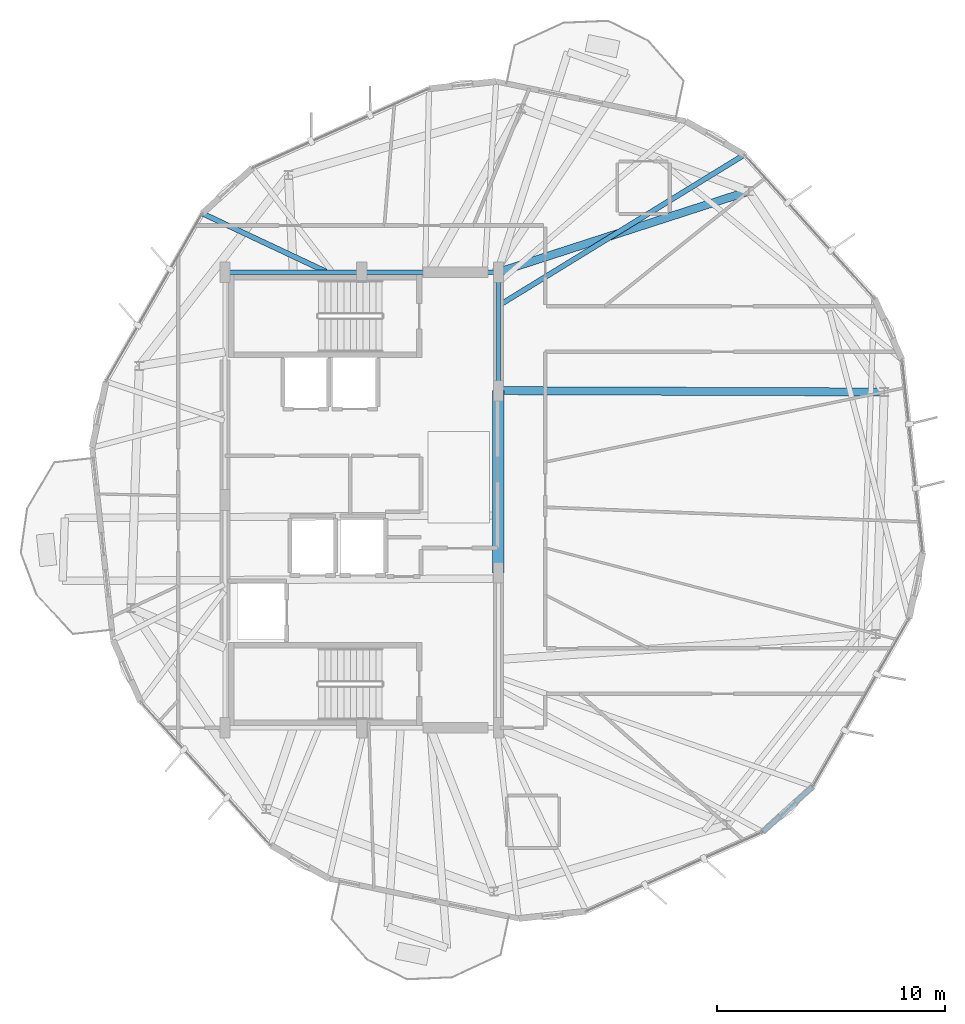
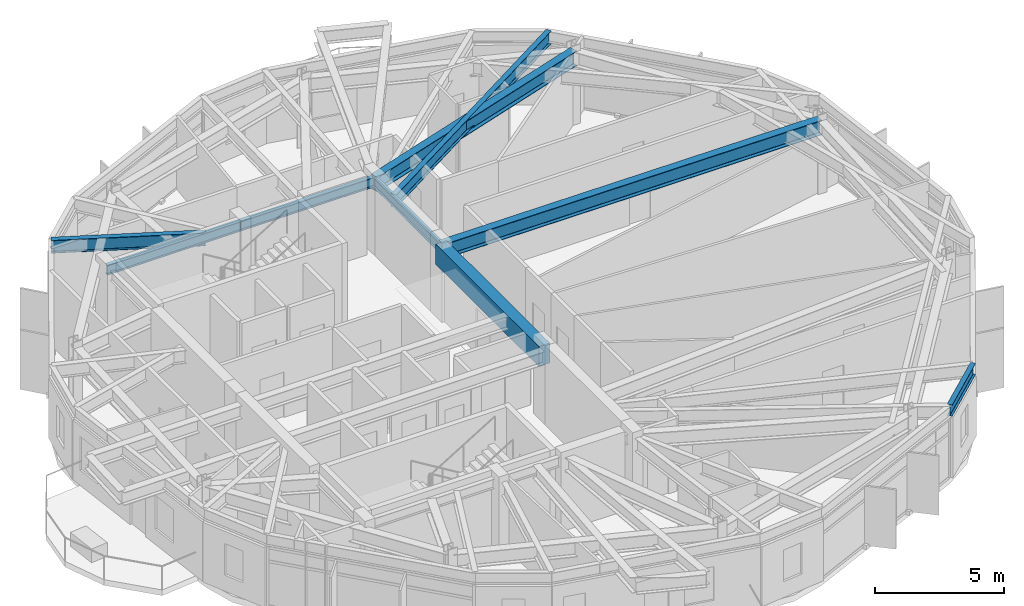
# One storey, part 9 of 23: 9 beams.
"""IFC4 building model written with IfcOpenShell, lengths in metres."""

from ifc_helpers import new_model, si_unit, direction, frame, origin, origin_2d, place, context, subcontext, project, spatial, rectangle, i_section, extrude, material, material_profile, profile_set, type_object, element, save


model = new_model("IFC4")

# Units and contexts
model_context = context("Model", 3, precision=1e-05, world=origin(), true_north=direction((0.0, 1.0)))
body_context = subcontext(model_context, "Body", "Model", "MODEL_VIEW")
ifc_project = project(units=[si_unit("LENGTHUNIT", "METRE"), si_unit("AREAUNIT", "SQUARE_METRE"), si_unit("VOLUMEUNIT", "CUBIC_METRE"), si_unit("PLANEANGLEUNIT", "RADIAN"), si_unit("MASSUNIT", "GRAM", prefix="KILO")], contexts=[model_context])

# Site, building, storey
site_placement = place(None, origin())
site = spatial("IfcSite", under=ifc_project, at=site_placement, CompositionType="ELEMENT")
building_placement = place(site_placement, origin())
building = spatial("IfcBuilding", under=site, at=building_placement, Name="Soratama Intermodal Tower", CompositionType="ELEMENT")
storey_placement = place(building_placement, frame((0.0, 0.0, 253.75)))
storey = spatial("IfcBuildingStorey", under=building, at=storey_placement, Name="L64", CompositionType="ELEMENT", Elevation=253.75)

# Beams
ifc_material_1 = material(Name="Concrete f'c 56 MPa", Category="concrete")
ifc_material_profile_1 = material_profile(ifc_material_1, rectangle(XDim=0.5, YDim=0.949951171875, at=origin_2d()), Name="RC500X950")
ifc_profile_set_1 = profile_set([ifc_material_profile_1], Name="Concrete f'c 56 MPa")
beam_type_1 = type_object("IfcBeamType", Name="BM-CPL-RC500X950", PredefinedType="BEAM", material=ifc_profile_set_1)
beam_1_placement = place(storey_placement, frame((44.60009765625, 21.800048828125, 2.97509765625), z_axis=(0.0, 1.0, 0.0), x_axis=(-1.0, 0.0, 0.0)))
element("IfcBeam", 1, at=beam_1_placement, inside=storey, type_object=beam_type_1, Name="L64 Core Coupling Beam East", PredefinedType="BEAM", context=body_context, shape_type="SweptSolid", body=[
    extrude(rectangle(XDim=0.5, YDim=0.949951171875, at=origin_2d()), origin(), (0.0, 0.0, 1.0), 8.0),
])
ifc_material_2 = material(Name="Structural steel ASTM A992 Grade 50", Category="steel")
ifc_material_profile_2 = material_profile(ifc_material_2, i_section(OverallWidth=0.19091796875, OverallDepth=0.4599609375, WebThickness=0.010009765625, FlangeThickness=0.01611328125, FilletRadius=0.010986328125, at=origin_2d()), Name="W18X55")
ifc_profile_set_2 = profile_set([ifc_material_profile_2], Name="Structural steel ASTM A992 Grade 50")
beam_type_2 = type_object("IfcBeamType", Name="BM-FLR-W18X55", PredefinedType="BEAM", material=ifc_profile_set_2)
beam_2_placement = place(storey_placement, frame((44.60009765625, 29.800048828125, 3.219970703125), z_axis=(0.0, 1.0, 0.0), x_axis=(-1.0, 0.0, 0.0)))
element("IfcBeam", 2, at=beam_2_placement, inside=storey, type_object=beam_type_2, Name="BM-L64-CRING-05", PredefinedType="BEAM", context=body_context, shape_type="SweptSolid", body=[
    extrude(i_section(OverallWidth=0.19091796875, OverallDepth=0.4599609375, WebThickness=0.010009765625, FlangeThickness=0.01611328125, FilletRadius=0.010986328125, at=origin_2d()), origin(), (0.0, 0.0, 1.0), 5.199951171875),
])
for number, where, z_axis, x_axis, name in (
    (3, (44.60009765625, 35.0, 3.219970703125), (-1.0, 0.0, 0.0), (0.0, -1.0, 0.0), "BM-L64-CRING-06"),
    (4, (38.60009765625, 35.0, 3.219970703125), (-1.0, 0.0, 0.0), (0.0, -1.0, 0.0), "BM-L64-CRING-07"),
):
    element("IfcBeam", number, at=place(storey_placement, frame(where, z_axis=z_axis, x_axis=x_axis)), inside=storey, type_object=beam_type_2, Name=name, PredefinedType="BEAM", context=body_context, shape_type="SweptSolid", body=[
        extrude(i_section(OverallWidth=0.19091796875, OverallDepth=0.4599609375, WebThickness=0.010009765625, FlangeThickness=0.01611328125, FilletRadius=0.010986328125, at=origin_2d()), origin(), (0.0, 0.0, 1.0), 6.0),
    ])
ifc_material_3 = material(Name="Structural steel ASTM A992 Grade 50", Category="steel")
ifc_material_profile_3 = material_profile(ifc_material_3, i_section(OverallWidth=0.35498046875, OverallDepth=0.695068359375, WebThickness=0.015380859375, FlangeThickness=0.02490234375, FilletRadius=0.01611328125, at=origin_2d()), Name="W27X146")
ifc_profile_set_3 = profile_set([ifc_material_profile_3], Name="Structural steel ASTM A992 Grade 50")
beam_type_3 = type_object("IfcBeamType", Name="BM-RING-W27X146", PredefinedType="BEAM", material=ifc_profile_set_3)
beam_3_placement = place(storey_placement, frame((44.60009765625, 29.800048828125, 3.1025390625), z_axis=(0.999993913522, -0.003488971138, 0.0), x_axis=(0.003488971138, 0.999993913522, 0.0)))
element("IfcBeam", 5, at=beam_3_placement, inside=storey, type_object=beam_type_3, Name="BM-L64-RAD-01", PredefinedType="BEAM", context=body_context, shape_type="SweptSolid", body=[
    extrude(i_section(OverallWidth=0.35498046875, OverallDepth=0.695068359375, WebThickness=0.015380859375, FlangeThickness=0.02490234375, FilletRadius=0.01611328125, at=origin_2d()), origin(), (0.0, 0.0, 1.0), 16.933837890625),
])
beam_4_placement = place(storey_placement, frame((44.60009765625, 35.0, 3.1025390625), z_axis=(0.95147783512, 0.307717287904, 0.0), x_axis=(-0.307717287904, 0.95147783512, 0.0)))
element("IfcBeam", 6, at=beam_4_placement, inside=storey, type_object=beam_type_3, Name="BM-L64-RAD-02", PredefinedType="BEAM", context=body_context, shape_type="SweptSolid", body=[
    extrude(i_section(OverallWidth=0.35498046875, OverallDepth=0.695068359375, WebThickness=0.015380859375, FlangeThickness=0.02490234375, FilletRadius=0.01611328125, at=origin_2d()), origin(), (0.0, 0.0, 1.0), 11.54931640625),
])
ifc_material_4 = material(Name="Structural steel ASTM A992 Grade 50", Category="steel")
ifc_material_profile_4 = material_profile(ifc_material_4, i_section(OverallWidth=0.2099609375, OverallDepth=0.537109375, WebThickness=0.010986328125, FlangeThickness=0.017333984375, FilletRadius=0.012939453125, at=origin_2d()), Name="W21X68")
ifc_profile_set_4 = profile_set([ifc_material_profile_4], Name="Structural steel ASTM A992 Grade 50")
beam_type_4 = type_object("IfcBeamType", Name="BM-SPN-W21X68", PredefinedType="SPANDREL", material=ifc_profile_set_4)
beam_5_placement = place(storey_placement, frame((56.200927734375, 10.429931640625, 3.181396484375), z_axis=(0.740944718942, 0.671566023167, 0.0), x_axis=(-0.671566023167, 0.740944718942, 0.0)))
element("IfcBeam", 7, at=beam_5_placement, inside=storey, type_object=beam_type_4, Name="BS-L64-CRN07", PredefinedType="SPANDREL", context=body_context, shape_type="SweptSolid", body=[
    extrude(i_section(OverallWidth=0.2099609375, OverallDepth=0.537109375, WebThickness=0.010986328125, FlangeThickness=0.017333984375, FilletRadius=0.012939453125, at=origin_2d()), origin(), (0.0, 0.0, 1.0), 2.966552734375),
])
ifc_material_5 = material(Name="Structural steel ASTM A992 Grade 50", Category="steel")
ifc_material_profile_5 = material_profile(ifc_material_5, i_section(OverallWidth=0.22900390625, OverallDepth=0.612060546875, WebThickness=0.011962890625, FlangeThickness=0.01953125, FilletRadius=0.012939453125, at=origin_2d()), Name="W24X84")
ifc_profile_set_5 = profile_set([ifc_material_profile_5], Name="Structural steel ASTM A992 Grade 50")
beam_type_5 = type_object("IfcBeamType", Name="BM-TIE-W24X84", PredefinedType="BEAM", material=ifc_profile_set_5)
beam_6_placement = place(storey_placement, frame((37.047119140625, 35.01708984375, 3.14404296875), z_axis=(-0.904950131532, 0.425517637049, 0.0), x_axis=(-0.425517637049, -0.904950131532, 0.0)))
element("IfcBeam", 8, at=beam_6_placement, inside=storey, type_object=beam_type_5, Name="BM-L64-TIE0-03", PredefinedType="BEAM", context=body_context, shape_type="SweptSolid", body=[
    extrude(i_section(OverallWidth=0.22900390625, OverallDepth=0.612060546875, WebThickness=0.011962890625, FlangeThickness=0.01953125, FilletRadius=0.012939453125, at=origin_2d()), origin(), (0.0, 0.0, 1.0), 6.01806640625),
])
beam_7_placement = place(storey_placement, frame((44.634033203125, 33.547119140625, 3.14404296875), z_axis=(0.852182265705, 0.523245053505, 0.0), x_axis=(-0.523245053505, 0.852182265705, 0.0)))
element("IfcBeam", 9, at=beam_7_placement, inside=storey, type_object=beam_type_5, Name="BM-L64-TIE1-10", PredefinedType="BEAM", context=body_context, shape_type="SweptSolid", body=[
    extrude(i_section(OverallWidth=0.22900390625, OverallDepth=0.612060546875, WebThickness=0.011962890625, FlangeThickness=0.01953125, FilletRadius=0.012939453125, at=origin_2d()), origin(), (0.0, 0.0, 1.0), 12.628662109375),
])

save(model, "model.ifc")
